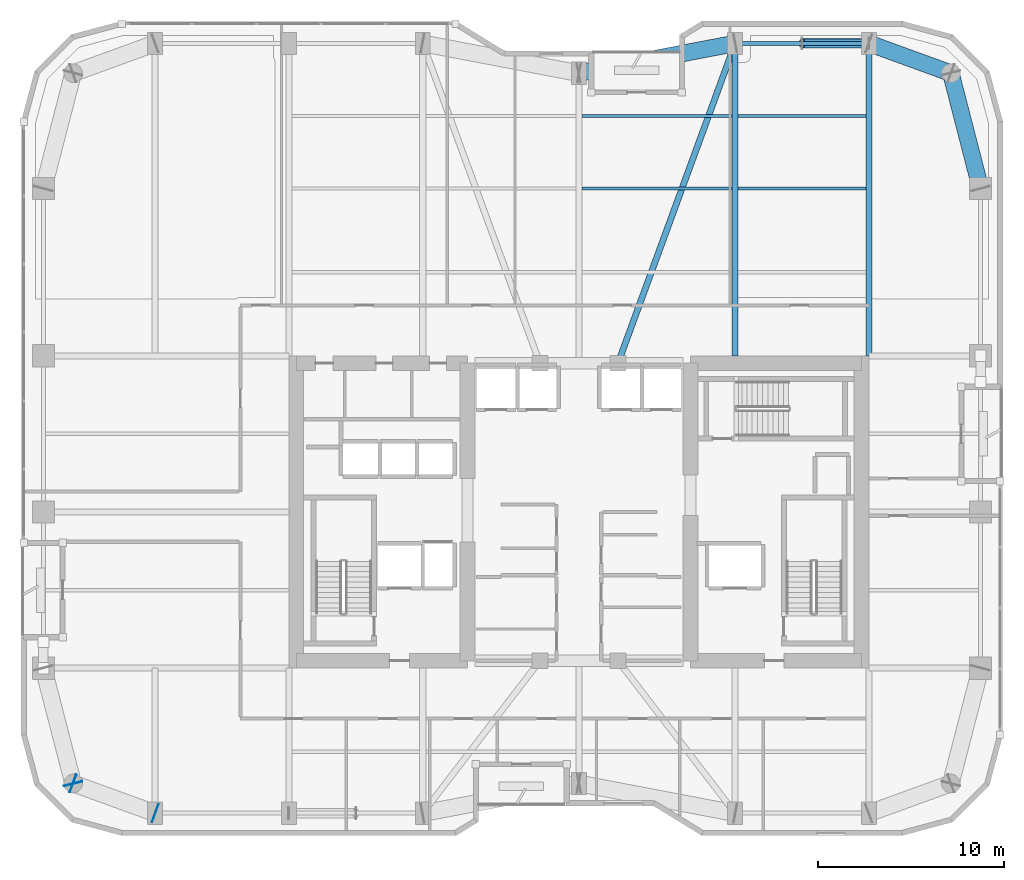
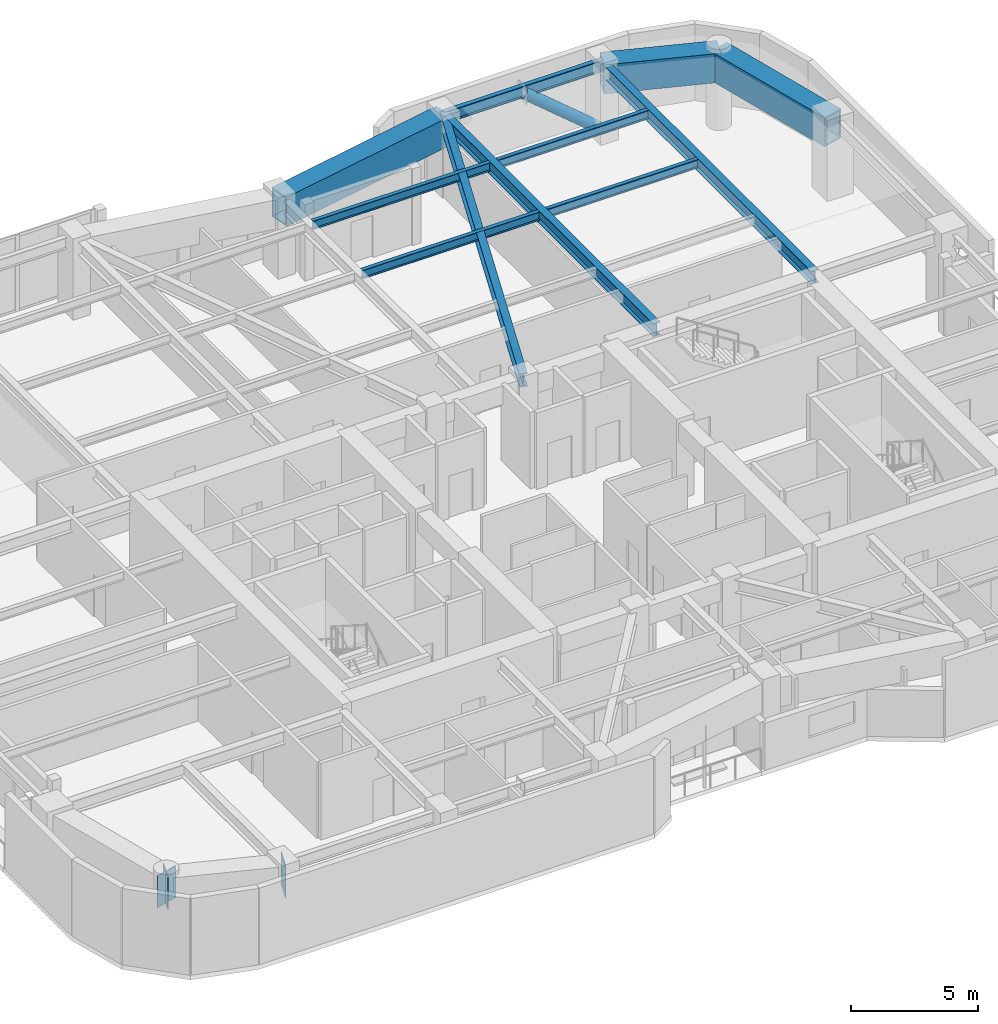
# One storey, part 20 of 30: 11 beams, 3 plates, 1 member.
"""IFC4 building model written with IfcOpenShell, lengths in metres."""

from ifc_helpers import new_model, si_unit, direction, frame, origin, origin_2d, place, context, subcontext, project, spatial, rectangle, hollow_rectangle, hollow_circle, i_section, extrude, material, layer, layer_set, material_profile, profile_set, type_object, element, save


model = new_model("IFC4")

# Units and contexts
model_context = context("Model", 3, precision=1e-05, world=origin(), true_north=direction((0.0, 1.0)))
body_context = subcontext(model_context, "Body", "Model", "MODEL_VIEW")
ifc_project = project(units=[si_unit("LENGTHUNIT", "METRE"), si_unit("AREAUNIT", "SQUARE_METRE"), si_unit("VOLUMEUNIT", "CUBIC_METRE"), si_unit("PLANEANGLEUNIT", "RADIAN"), si_unit("MASSUNIT", "GRAM", prefix="KILO")], contexts=[model_context])

# Site, building, storey
site_placement = place(None, origin())
site = spatial("IfcSite", under=ifc_project, at=site_placement, CompositionType="ELEMENT")
building_placement = place(site_placement, origin())
building = spatial("IfcBuilding", under=site, at=building_placement, Name="Kiyonajd Concourse Tower", CompositionType="ELEMENT")
storey_placement = place(building_placement, frame((0.0, 0.0, 162.300048828125)))
storey = spatial("IfcBuildingStorey", under=building, at=storey_placement, Name="L41", CompositionType="ELEMENT", Elevation=162.300048828125)

# Beams
ifc_material_1 = material(Name="Steel ASTM A992 Grade 50", Category="steel")
ifc_material_profile_1 = material_profile(ifc_material_1, i_section(OverallWidth=0.180908203125, OverallDepth=0.4169921875, WebThickness=0.010986328125, FlangeThickness=0.018310546875, at=origin_2d()), Name="W410X85")
ifc_profile_set_1 = profile_set([ifc_material_profile_1], Name="Steel ASTM A992 Grade 50")
beam_type_1 = type_object("IfcBeamType", Name="BM-JST-410", PredefinedType="JOIST", material=ifc_profile_set_1)
beam_1_placement = place(storey_placement, frame((48.16357421875, 53.39990234375, 3.471435546875), z_axis=(1.0, 0.0, 0.0), x_axis=(0.0, 1.0, 0.0)))
element("IfcBeam", 1, at=beam_1_placement, inside=storey, type_object=beam_type_1, Name="L41 Secondary Floor Joist", PredefinedType="JOIST", context=body_context, shape_type="SweptSolid", body=[
    extrude(i_section(OverallWidth=0.180908203125, OverallDepth=0.4169921875, WebThickness=0.010986328125, FlangeThickness=0.018310546875, at=origin_2d()), origin(), (0.0, 0.0, 1.0), 8.072998046875),
])
beam_2_placement = place(storey_placement, frame((56.5634765625, 53.39990234375, 3.471435546875), z_axis=(1.0, 0.0, 0.0), x_axis=(0.0, 1.0, 0.0)))
element("IfcBeam", 2, at=beam_2_placement, inside=storey, type_object=beam_type_1, Name="L41 Secondary Floor Joist", PredefinedType="JOIST", context=body_context, shape_type="SweptSolid", body=[
    extrude(i_section(OverallWidth=0.180908203125, OverallDepth=0.4169921875, WebThickness=0.010986328125, FlangeThickness=0.018310546875, at=origin_2d()), origin(), (0.0, 0.0, 1.0), 6.873046875),
])
beam_3_placement = place(storey_placement, frame((48.16357421875, 57.300048828125, 3.471435546875), z_axis=(1.0, 0.0, 0.0), x_axis=(0.0, 1.0, 0.0)))
element("IfcBeam", 3, at=beam_3_placement, inside=storey, type_object=beam_type_1, Name="L41 Secondary Floor Joist", PredefinedType="JOIST", context=body_context, shape_type="SweptSolid", body=[
    extrude(i_section(OverallWidth=0.180908203125, OverallDepth=0.4169921875, WebThickness=0.010986328125, FlangeThickness=0.018310546875, at=origin_2d()), origin(), (0.0, 0.0, 1.0), 8.072998046875),
])
beam_4_placement = place(storey_placement, frame((56.5634765625, 57.300048828125, 3.471435546875), z_axis=(1.0, 0.0, 0.0), x_axis=(0.0, 1.0, 0.0)))
element("IfcBeam", 4, at=beam_4_placement, inside=storey, type_object=beam_type_1, Name="L41 Secondary Floor Joist", PredefinedType="JOIST", context=body_context, shape_type="SweptSolid", body=[
    extrude(i_section(OverallWidth=0.180908203125, OverallDepth=0.4169921875, WebThickness=0.010986328125, FlangeThickness=0.018310546875, at=origin_2d()), origin(), (0.0, 0.0, 1.0), 6.873046875),
])
ifc_material_profile_2 = material_profile(ifc_material_1, i_section(OverallWidth=0.214111328125, OverallDepth=0.549072265625, WebThickness=0.0146484375, FlangeThickness=0.023681640625, at=origin_2d()), Name="W530X138")
ifc_profile_set_2 = profile_set([ifc_material_profile_2], Name="Steel ASTM A992 Grade 50")
beam_type_2 = type_object("IfcBeamType", Name="BM-SPAN-530A", PredefinedType="SPANDREL", material=ifc_profile_set_2)
beam_5_placement = place(storey_placement, frame((63.60009765625, 61.199951171875, 3.405517578125), z_axis=(-1.0, 0.0, 0.0), x_axis=(0.0, -1.0, 0.0)))
element("IfcBeam", 5, at=beam_5_placement, inside=storey, type_object=beam_type_2, Name="L41 Perimeter Bundled Tube Spandrel", PredefinedType="SPANDREL", context=body_context, shape_type="SweptSolid", body=[
    extrude(i_section(OverallWidth=0.214111328125, OverallDepth=0.549072265625, WebThickness=0.0146484375, FlangeThickness=0.023681640625, at=origin_2d()), origin(), (0.0, 0.0, 1.0), 7.2001953125),
])
ifc_material_profile_3 = material_profile(ifc_material_1, i_section(OverallWidth=0.326904296875, OverallDepth=0.6220703125, WebThickness=0.015380859375, FlangeThickness=0.0244140625, at=origin_2d()), Name="W610X195")
ifc_profile_set_3 = profile_set([ifc_material_profile_3], Name="Steel ASTM A992 Grade 50")
beam_type_3 = type_object("IfcBeamType", Name="BM-TWR-610A", PredefinedType="BEAM", material=ifc_profile_set_3)
beam_6_placement = place(storey_placement, frame((50.10009765625, 44.0, 3.368896484375), z_axis=(0.343925269715, 0.938997022813, 0.0), x_axis=(-0.938997022813, 0.343925269715, 0.0)))
element("IfcBeam", 6, at=beam_6_placement, inside=storey, type_object=beam_type_3, Name="L41 Core Tie Girder", PredefinedType="BEAM", context=body_context, shape_type="SweptSolid", body=[
    extrude(i_section(OverallWidth=0.326904296875, OverallDepth=0.6220703125, WebThickness=0.015380859375, FlangeThickness=0.0244140625, at=origin_2d()), origin(), (0.0, 0.0, 1.0), 18.3173828125),
])
for number, where, z_axis, x_axis, name in (
    (7, (56.39990234375, 44.39990234375, 3.368896484375), (0.0, 1.0, 0.0), (-1.0, 0.0, 0.0), "L41 North Lease Girder"),
    (8, (63.60009765625, 44.39990234375, 3.368896484375), (0.0, 1.0, 0.0), (-1.0, 0.0, 0.0), "L41 North Lease Girder"),
):
    element("IfcBeam", number, at=place(storey_placement, frame(where, z_axis=z_axis, x_axis=x_axis)), inside=storey, type_object=beam_type_3, Name=name, PredefinedType="BEAM", context=body_context, shape_type="SweptSolid", body=[
        extrude(i_section(OverallWidth=0.326904296875, OverallDepth=0.6220703125, WebThickness=0.015380859375, FlangeThickness=0.0244140625, at=origin_2d()), origin(), (0.0, 0.0, 1.0), 16.800048828125),
    ])
ifc_material_2 = material(Name="Steel ASTM A572 Grade 50", Category="steel")
ifc_material_profile_4 = material_profile(ifc_material_2, hollow_rectangle(XDim=0.89990234375, YDim=1.39990234375, WallThickness=0.070068359375, at=origin_2d()), Name="BOX-1400x900x70")
ifc_profile_set_4 = profile_set([ifc_material_profile_4], Name="Steel ASTM A572 Grade 50")
beam_type_4 = type_object("IfcBeamType", Name="BM-XFER-1400", PredefinedType="BEAM", material=ifc_profile_set_4)
beam_7_placement = place(storey_placement, frame((69.60009765625, 53.39990234375, 2.97998046875), z_axis=(-0.249884937687, 0.968275538221, 0.0), x_axis=(-0.968275538221, -0.249884937687, 0.0)))
element("IfcBeam", 9, at=beam_7_placement, inside=storey, type_object=beam_type_4, Name="L41 Perimeter Bundled Tube Spandrel", PredefinedType="BEAM", context=body_context, shape_type="SweptSolid", body=[
    extrude(hollow_rectangle(XDim=0.89990234375, YDim=1.39990234375, WallThickness=0.070068359375, at=origin_2d()), origin(), (0.0, 0.0, 1.0), 6.4033203125),
])
beam_8_placement = place(storey_placement, frame((68.0, 59.60009765625, 2.97998046875), z_axis=(-0.939801036019, 0.341722127901, 0.0), x_axis=(-0.341722127901, -0.939801036019, 0.0)))
element("IfcBeam", 10, at=beam_8_placement, inside=storey, type_object=beam_type_4, Name="L41 Perimeter Bundled Tube Spandrel", PredefinedType="BEAM", context=body_context, shape_type="SweptSolid", body=[
    extrude(hollow_rectangle(XDim=0.89990234375, YDim=1.39990234375, WallThickness=0.070068359375, at=origin_2d()), origin(), (0.0, 0.0, 1.0), 4.681640625),
])
beam_9_placement = place(storey_placement, frame((56.39990234375, 61.199951171875, 2.97998046875), z_axis=(-0.982341315253, -0.187097675953, 0.0), x_axis=(0.187097675953, -0.982341315253, 0.0)))
element("IfcBeam", 11, at=beam_9_placement, inside=storey, type_object=beam_type_4, Name="L41 Perimeter Bundled Tube Spandrel", PredefinedType="BEAM", context=body_context, shape_type="SweptSolid", body=[
    extrude(hollow_rectangle(XDim=0.89990234375, YDim=1.39990234375, WallThickness=0.070068359375, at=origin_2d()), origin(), (0.0, 0.0, 1.0), 8.55078125),
])

# Member
ifc_material_3 = material(Name="Steel ASTM A500 Grade C", Category="steel")
ifc_material_profile_5 = material_profile(ifc_material_3, hollow_circle(Radius=0.25390625, WallThickness=0.02197265625, at=origin_2d()), Name="CHS-508x22")
ifc_profile_set_5 = profile_set([ifc_material_profile_5], Name="Steel ASTM A500 Grade C")
member_type = type_object("IfcMemberType", Name="MB-PB-MID", PredefinedType="BRACE", material=ifc_profile_set_5)
member_placement = place(storey_placement, frame((63.60009765625, 61.199951171875, 0.300048828125), z_axis=(-0.765107605277, 0.0, 0.643902440085), x_axis=(0.0, -1.0, 0.0)))
element("IfcMember", 12, at=member_placement, inside=storey, type_object=member_type, Name="L41 Upper Zone Hollow Tube Brace PBN", PredefinedType="BRACE", context=body_context, shape_type="SweptSolid", body=[
    extrude(hollow_circle(Radius=0.25390625, WallThickness=0.02197265625, at=origin_2d()), origin(), (0.0, 0.0, 1.0), 4.705322265625),
])

# Plates
ifc_layer = layer(ifc_material_2, 0.031982421875)
ifc_layer_set = layer_set([ifc_layer], Name="Steel ASTM A572 Grade 50")
plate_type = type_object("IfcPlateType", Name="PL-CAP-540", PredefinedType="USERDEFINED", material=ifc_layer_set)
for number, where, z_axis, x_axis, name in (
    (13, (20.802734375, 21.389404296875, 2.2099609375), (0.0, 0.0, 1.0), (0.249873048837, -0.968278606324, 0.0), "L41 Welded Box Girder End Cap"),
    (14, (20.789794921875, 21.40380859375, 2.2099609375), (0.0, 0.0, 1.0), (-0.939811951086, 0.341692107891, 0.0), "L41 Welded Box Girder End Cap"),
    (15, (25.210205078125, 19.796142578125, 2.2099609375), (0.0, 0.0, 1.0), (0.939811951086, -0.341692107891, 0.0), "L41 Welded Box Girder End Cap"),
):
    element("IfcPlate", number, at=place(storey_placement, frame(where, z_axis=z_axis, x_axis=x_axis)), inside=storey, type_object=plate_type, Name=name, ObjectType="CAP PLATE", PredefinedType="USERDEFINED", context=body_context, shape_type="SweptSolid", body=[
        extrude(rectangle(XDim=0.035888671875, YDim=1.02001953125, at=origin_2d()), origin(), (0.0, 0.0, 1.0), 1.5400390625),
    ])

save(model, "model.ifc")
